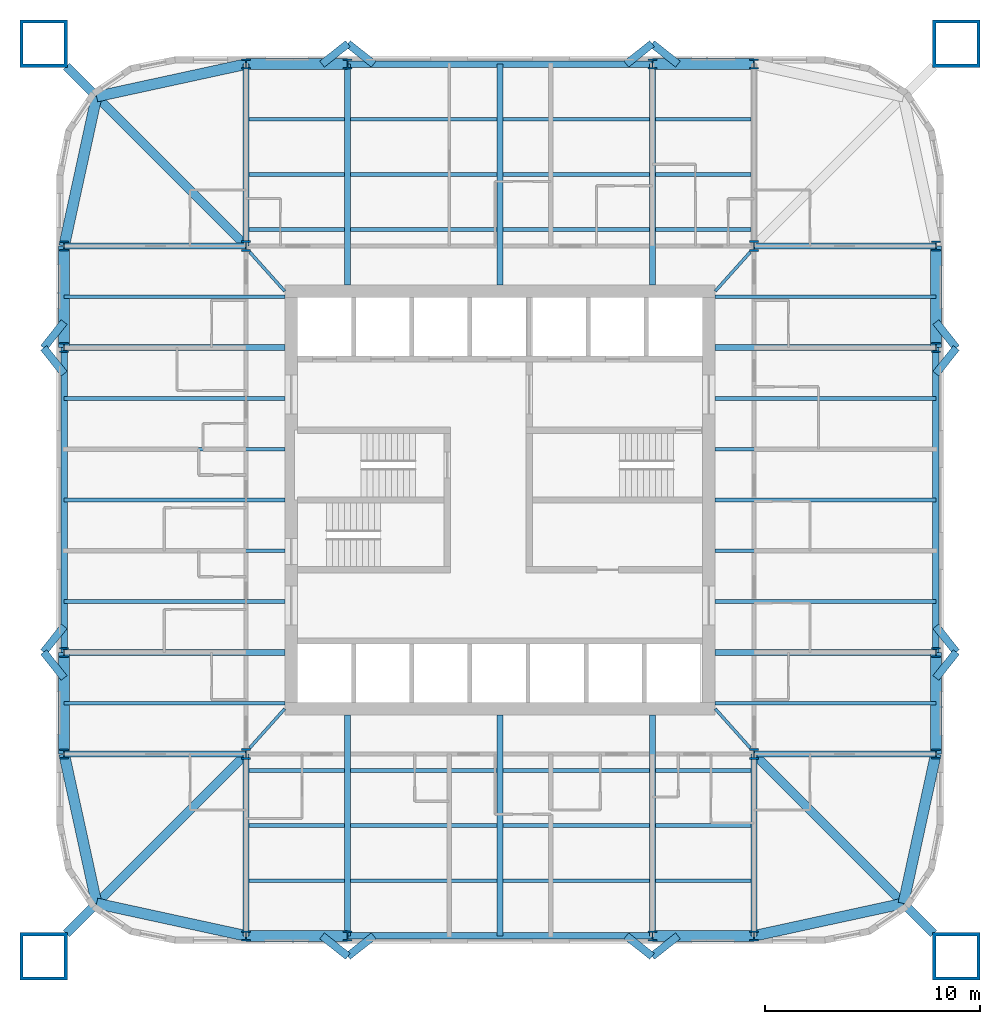
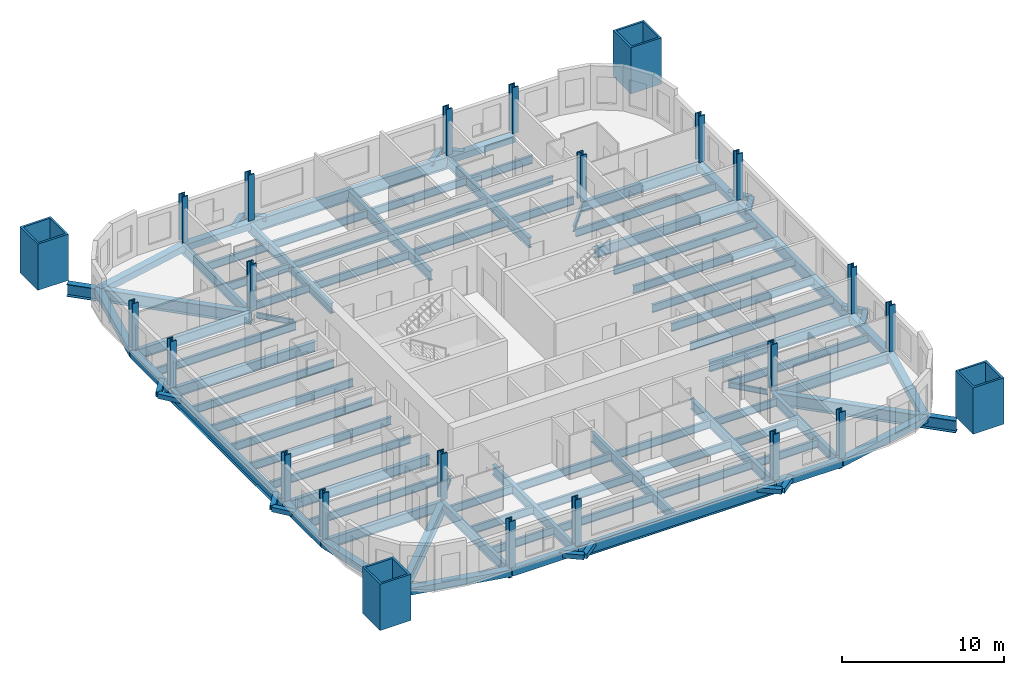
# One storey, part 1 of 9: 96 beams, 24 columns.
"""IFC4 building model written with IfcOpenShell, lengths in metres."""

from ifc_helpers import new_model, si_unit, direction, frame, origin, origin_2d, place, context, subcontext, project, spatial, hollow_rectangle, i_section, extrude, material, material_profile, profile_set, type_object, element, save


model = new_model("IFC4")

# Units and contexts
model_context = context("Model", 3, precision=1e-05, world=origin(), true_north=direction((0.0, 1.0)))
body_context = subcontext(model_context, "Body", "Model", "MODEL_VIEW")
ifc_project = project(units=[si_unit("LENGTHUNIT", "METRE"), si_unit("AREAUNIT", "SQUARE_METRE"), si_unit("VOLUMEUNIT", "CUBIC_METRE"), si_unit("PLANEANGLEUNIT", "RADIAN"), si_unit("MASSUNIT", "GRAM", prefix="KILO")], contexts=[model_context])

# Site, building, storey
site_placement = place(None, origin())
site = spatial("IfcSite", under=ifc_project, at=site_placement, CompositionType="ELEMENT")
building_placement = place(site_placement, origin())
building = spatial("IfcBuilding", under=site, at=building_placement, Name="Turquesa Mirador Hotel Tower", CompositionType="ELEMENT")
storey_placement = place(building_placement, frame((0.0, 0.0, 135.39990234375)))
storey = spatial("IfcBuildingStorey", under=building, at=storey_placement, Name="L36", CompositionType="ELEMENT", Elevation=135.39990234375)

# Columns
ifc_material_1 = material(Name="Steel ASTM A992 Grade 50", Category="steel")
ifc_material_profile_1 = material_profile(ifc_material_1, i_section(OverallWidth=0.421630859375, OverallDepth=0.46484375, WebThickness=0.044921875, FlangeThickness=0.072509765625, at=origin_2d()), Name="W14X398")
ifc_profile_set_1 = profile_set([ifc_material_profile_1], Name="Steel ASTM A992 Grade 50")
column_type_1 = type_object("IfcColumnType", Name="COLUMN W14X398", PredefinedType="COLUMN", material=ifc_profile_set_1)
for number, where, z_axis, x_axis, name in (
    (1, (34.75, 33.199951171875, 0.0), (0.0, 0.0, 1.0), (1.0, 0.0, 0.0), "COL-L36-P--20.25--11.80"),
    (2, (34.75, 37.919921875, 0.0), (0.0, 0.0, 1.0), (1.0, 0.0, 0.0), "COL-L36-P--20.25--7.08"),
    (3, (34.75, 52.080078125, 0.0), (0.0, 0.0, 1.0), (1.0, 0.0, 0.0), "COL-L36-P--20.25-+7.08"),
    (4, (34.75, 56.800048828125, 0.0), (0.0, 0.0, 1.0), (1.0, 0.0, 0.0), "COL-L36-P--20.25-+11.80"),
    (5, (43.199951171875, 24.75, 0.0), (0.0, 0.0, 1.0), (1.0, 0.0, 0.0), "COL-L36-P--11.80--20.25"),
    (6, (43.199951171875, 65.25, 0.0), (0.0, 0.0, 1.0), (1.0, 0.0, 0.0), "COL-L36-P--11.80-+20.25"),
    (7, (47.919921875, 24.75, 0.0), (0.0, 0.0, 1.0), (1.0, 0.0, 0.0), "COL-L36-P--7.08--20.25"),
    (8, (47.919921875, 65.25, 0.0), (0.0, 0.0, 1.0), (1.0, 0.0, 0.0), "COL-L36-P--7.08-+20.25"),
    (9, (62.080078125, 24.75, 0.0), (0.0, 0.0, 1.0), (1.0, 0.0, 0.0), "COL-L36-P-+7.08--20.25"),
    (10, (62.080078125, 65.25, 0.0), (0.0, 0.0, 1.0), (1.0, 0.0, 0.0), "COL-L36-P-+7.08-+20.25"),
    (11, (66.800048828125, 24.75, 0.0), (0.0, 0.0, 1.0), (1.0, 0.0, 0.0), "COL-L36-P-+11.80--20.25"),
    (12, (66.800048828125, 65.25, 0.0), (0.0, 0.0, 1.0), (1.0, 0.0, 0.0), "COL-L36-P-+11.80-+20.25"),
    (13, (75.25, 33.199951171875, 0.0), (0.0, 0.0, 1.0), (1.0, 0.0, 0.0), "COL-L36-P-+20.25--11.80"),
    (14, (75.25, 37.919921875, 0.0), (0.0, 0.0, 1.0), (1.0, 0.0, 0.0), "COL-L36-P-+20.25--7.08"),
    (15, (75.25, 52.080078125, 0.0), (0.0, 0.0, 1.0), (1.0, 0.0, 0.0), "COL-L36-P-+20.25-+7.08"),
    (16, (75.25, 56.800048828125, 0.0), (0.0, 0.0, 1.0), (1.0, 0.0, 0.0), "COL-L36-P-+20.25-+11.80"),
):
    element("IfcColumn", number, at=place(storey_placement, frame(where, z_axis=z_axis, x_axis=x_axis)), inside=storey, type_object=column_type_1, Name=name, PredefinedType="COLUMN", context=body_context, shape_type="SweptSolid", body=[
        extrude(i_section(OverallWidth=0.421630859375, OverallDepth=0.46484375, WebThickness=0.044921875, FlangeThickness=0.072509765625, at=origin_2d()), origin(), (0.0, 0.0, 1.0), 3.5),
    ])
ifc_material_2 = material(Name="Steel ASTM A992 Grade 50", Category="steel")
ifc_material_profile_2 = material_profile(ifc_material_2, i_section(OverallWidth=0.431884765625, OverallDepth=0.497802734375, WebThickness=0.0556640625, FlangeThickness=0.0888671875, at=origin_2d()), Name="W14X500")
ifc_profile_set_2 = profile_set([ifc_material_profile_2], Name="Steel ASTM A992 Grade 50")
column_type_2 = type_object("IfcColumnType", Name="COLUMN W14X500", PredefinedType="COLUMN", material=ifc_profile_set_2)
for number, where, z_axis, x_axis, name in (
    (17, (43.199951171875, 33.199951171875, 0.0), (0.0, 0.0, 1.0), (1.0, 0.0, 0.0), "COL-L36-K--11.80--11.80"),
    (18, (43.199951171875, 56.800048828125, 0.0), (0.0, 0.0, 1.0), (1.0, 0.0, 0.0), "COL-L36-K--11.80-+11.80"),
    (19, (66.800048828125, 33.199951171875, 0.0), (0.0, 0.0, 1.0), (1.0, 0.0, 0.0), "COL-L36-K-+11.80--11.80"),
    (20, (66.800048828125, 56.800048828125, 0.0), (0.0, 0.0, 1.0), (1.0, 0.0, 0.0), "COL-L36-K-+11.80-+11.80"),
):
    element("IfcColumn", number, at=place(storey_placement, frame(where, z_axis=z_axis, x_axis=x_axis)), inside=storey, type_object=column_type_2, Name=name, PredefinedType="COLUMN", context=body_context, shape_type="SweptSolid", body=[
        extrude(i_section(OverallWidth=0.431884765625, OverallDepth=0.497802734375, WebThickness=0.0556640625, FlangeThickness=0.0888671875, at=origin_2d()), origin(), (0.0, 0.0, 1.0), 3.5),
    ])
ifc_material_3 = material(Name="Steel ASTM A514 Grade Q", Category="steel")
ifc_material_profile_3 = material_profile(ifc_material_3, hollow_rectangle(XDim=2.199951171875, YDim=2.199951171875, WallThickness=0.14990234375, at=origin_2d()), Name="BOX2200X2200X150")
ifc_profile_set_3 = profile_set([ifc_material_profile_3], Name="Steel ASTM A514 Grade Q")
column_type_3 = type_object("IfcColumnType", Name="MEGA COLUMN BOX2200X2200X150", PredefinedType="COLUMN", material=ifc_profile_set_3)
for number, where, z_axis, x_axis, name in (
    (21, (76.199951171875, 66.199951171875, 0.0), (0.0, 0.0, 1.0), (1.0, 0.0, 0.0), "Mega column M1"),
    (22, (33.800048828125, 66.199951171875, 0.0), (0.0, 0.0, 1.0), (1.0, 0.0, 0.0), "Mega column M2"),
    (23, (33.800048828125, 23.800048828125, 0.0), (0.0, 0.0, 1.0), (1.0, 0.0, 0.0), "Mega column M3"),
    (24, (76.199951171875, 23.800048828125, 0.0), (0.0, 0.0, 1.0), (1.0, 0.0, 0.0), "Mega column M4"),
):
    element("IfcColumn", number, at=place(storey_placement, frame(where, z_axis=z_axis, x_axis=x_axis)), inside=storey, type_object=column_type_3, Name=name, PredefinedType="COLUMN", context=body_context, shape_type="SweptSolid", body=[
        extrude(hollow_rectangle(XDim=2.199951171875, YDim=2.199951171875, WallThickness=0.14990234375, at=origin_2d()), origin(), (0.0, 0.0, 1.0), 3.5),
    ])

# Beams
ifc_material_4 = material(Name="Steel ASTM A572 Grade 50", Category="steel")
ifc_material_profile_4 = material_profile(ifc_material_4, hollow_rectangle(XDim=0.5, YDim=0.5, WallThickness=0.01611328125, at=origin_2d()), Name="BOX500X500X16")
ifc_profile_set_4 = profile_set([ifc_material_profile_4], Name="Steel ASTM A572 Grade 50")
beam_type_1 = type_object("IfcBeamType", Name="BEAM BOX500X500X16", PredefinedType="BEAM", material=ifc_profile_set_4)
for number, where, z_axis, x_axis, name in (
    (25, (43.199951171875, 65.25, -0.419921875), (1.0, 0.0, 0.0), (0.0, 1.0, 0.0), "EB-L36-N-L"),
    (26, (62.080078125, 65.25, -0.419921875), (1.0, 0.0, 0.0), (0.0, 1.0, 0.0), "EB-L36-N-R"),
    (27, (43.199951171875, 24.75, -0.419921875), (1.0, 0.0, 0.0), (0.0, 1.0, 0.0), "EB-L36-S-L"),
    (28, (62.080078125, 24.75, -0.419921875), (1.0, 0.0, 0.0), (0.0, 1.0, 0.0), "EB-L36-S-R"),
    (29, (75.25, 33.199951171875, -0.419921875), (0.0, 1.0, 0.0), (-1.0, 0.0, 0.0), "EB-L36-E-L"),
    (30, (75.25, 52.080078125, -0.419921875), (0.0, 1.0, 0.0), (-1.0, 0.0, 0.0), "EB-L36-E-R"),
    (31, (34.75, 33.199951171875, -0.419921875), (0.0, 1.0, 0.0), (-1.0, 0.0, 0.0), "EB-L36-W-L"),
    (32, (34.75, 52.080078125, -0.419921875), (0.0, 1.0, 0.0), (-1.0, 0.0, 0.0), "EB-L36-W-R"),
):
    element("IfcBeam", number, at=place(storey_placement, frame(where, z_axis=z_axis, x_axis=x_axis)), inside=storey, type_object=beam_type_1, Name=name, PredefinedType="BEAM", context=body_context, shape_type="SweptSolid", body=[
        extrude(hollow_rectangle(XDim=0.5, YDim=0.5, WallThickness=0.01611328125, at=origin_2d()), origin(), (0.0, 0.0, 1.0), 4.719970703125),
    ])
for number, where, z_axis, x_axis, name in (
    (33, (34.75, 56.800048828125, -0.419921875), (0.212328336885, 0.977198381781, 0.0), (-0.977198381781, 0.212328336885, 0.0), "KE-L36-2-0"),
    (34, (36.25830078125, 63.74169921875, -0.419921875), (0.977198381781, 0.212328336885, 0.0), (-0.212328336885, 0.977198381781, 0.0), "KE-L36-2-1"),
    (35, (34.75, 33.199951171875, -0.419921875), (0.212328336885, -0.977198381781, 0.0), (0.977198381781, 0.212328336885, 0.0), "KE-L36-3-0"),
    (36, (36.25830078125, 26.25830078125, -0.419921875), (0.977198381781, -0.212328336885, 0.0), (0.212328336885, 0.977198381781, 0.0), "KE-L36-3-1"),
    (37, (75.25, 33.199951171875, -0.419921875), (-0.212328336885, -0.977198381781, 0.0), (0.977198381781, -0.212328336885, 0.0), "KE-L36-4-0"),
    (38, (73.74169921875, 26.25830078125, -0.419921875), (-0.977198381781, -0.212328336885, 0.0), (0.212328336885, -0.977198381781, 0.0), "KE-L36-4-1"),
):
    element("IfcBeam", number, at=place(storey_placement, frame(where, z_axis=z_axis, x_axis=x_axis)), inside=storey, type_object=beam_type_1, Name=name, PredefinedType="BEAM", context=body_context, shape_type="SweptSolid", body=[
        extrude(hollow_rectangle(XDim=0.5, YDim=0.5, WallThickness=0.01611328125, at=origin_2d()), origin(), (0.0, 0.0, 1.0), 7.103515625),
    ])
ifc_material_5 = material(Name="Steel ASTM A992 Grade 50", Category="steel")
ifc_material_profile_5 = material_profile(ifc_material_5, i_section(OverallWidth=0.140380859375, OverallDepth=0.40380859375, WebThickness=0.007080078125, FlangeThickness=0.01123046875, at=origin_2d()), Name="W16X31")
ifc_profile_set_5 = profile_set([ifc_material_profile_5], Name="Steel ASTM A992 Grade 50")
beam_type_2 = type_object("IfcBeamType", Name="BEAM W16X31", PredefinedType="BEAM", material=ifc_profile_set_5)
for number, where, z_axis, x_axis, name in (
    (39, (66.626953125, 56.518310546875, -0.371826171875), (-0.66679485947, -0.745241313525, 0.0), (0.745241313525, -0.66679485947, 0.0), "KT-L36-1"),
    (40, (43.373046875, 56.518310546875, -0.371826171875), (0.66679485947, -0.745241313525, 0.0), (0.745241313525, 0.66679485947, 0.0), "KT-L36-2"),
    (41, (43.373046875, 33.481689453125, -0.371826171875), (0.66679485947, 0.745241313525, 0.0), (-0.745241313525, 0.66679485947, 0.0), "KT-L36-3"),
    (42, (66.626953125, 33.481689453125, -0.371826171875), (-0.66679485947, 0.745241313525, 0.0), (-0.745241313525, -0.66679485947, 0.0), "KT-L36-4"),
):
    element("IfcBeam", number, at=place(storey_placement, frame(where, z_axis=z_axis, x_axis=x_axis)), inside=storey, type_object=beam_type_2, Name=name, PredefinedType="BEAM", context=body_context, shape_type="SweptSolid", body=[
        extrude(i_section(OverallWidth=0.140380859375, OverallDepth=0.40380859375, WebThickness=0.007080078125, FlangeThickness=0.01123046875, at=origin_2d()), origin(), (0.0, 0.0, 1.0), 2.43994140625),
    ])
ifc_material_6 = material(Name="Steel ASTM A992 Grade 50", Category="steel")
ifc_material_profile_6 = material_profile(ifc_material_6, i_section(OverallWidth=0.177978515625, OverallDepth=0.599365234375, WebThickness=0.010009765625, FlangeThickness=0.012939453125, at=origin_2d()), Name="W24X55")
ifc_profile_set_6 = profile_set([ifc_material_profile_6], Name="Steel ASTM A992 Grade 50")
beam_type_3 = type_object("IfcBeamType", Name="BEAM W24X55", PredefinedType="BEAM", material=ifc_profile_set_6)
beam_1_placement = place(storey_placement, frame((43.333251953125, 57.56201171875, -0.4697265625), z_axis=(1.0, 0.0, 0.0), x_axis=(0.0, 1.0, 0.0)))
element("IfcBeam", 43, at=beam_1_placement, inside=storey, type_object=beam_type_3, Name="IB-L36-N-1-0", PredefinedType="BEAM", context=body_context, shape_type="SweptSolid", body=[
    extrude(i_section(OverallWidth=0.177978515625, OverallDepth=0.599365234375, WebThickness=0.010009765625, FlangeThickness=0.012939453125, at=origin_2d()), origin(), (0.0, 0.0, 1.0), 4.453369140625),
])
for number, where, z_axis, x_axis, name in (
    (44, (48.053466796875, 57.56201171875, -0.4697265625), (1.0, 0.0, 0.0), (0.0, 1.0, 0.0), "IB-L36-N-1-1"),
    (45, (55.13330078125, 57.56201171875, -0.4697265625), (1.0, 0.0, 0.0), (0.0, 1.0, 0.0), "IB-L36-N-1-2"),
):
    element("IfcBeam", number, at=place(storey_placement, frame(where, z_axis=z_axis, x_axis=x_axis)), inside=storey, type_object=beam_type_3, Name=name, PredefinedType="BEAM", context=body_context, shape_type="SweptSolid", body=[
        extrude(i_section(OverallWidth=0.177978515625, OverallDepth=0.599365234375, WebThickness=0.010009765625, FlangeThickness=0.012939453125, at=origin_2d()), origin(), (0.0, 0.0, 1.0), 6.813232421875),
    ])
for number, where, z_axis, x_axis, name in (
    (46, (62.21337890625, 57.56201171875, -0.4697265625), (1.0, 0.0, 0.0), (0.0, 1.0, 0.0), "IB-L36-N-1-3"),
    (47, (43.333251953125, 60.125, -0.4697265625), (1.0, 0.0, 0.0), (0.0, 1.0, 0.0), "IB-L36-N-2-0"),
):
    element("IfcBeam", number, at=place(storey_placement, frame(where, z_axis=z_axis, x_axis=x_axis)), inside=storey, type_object=beam_type_3, Name=name, PredefinedType="BEAM", context=body_context, shape_type="SweptSolid", body=[
        extrude(i_section(OverallWidth=0.177978515625, OverallDepth=0.599365234375, WebThickness=0.010009765625, FlangeThickness=0.012939453125, at=origin_2d()), origin(), (0.0, 0.0, 1.0), 4.453369140625),
    ])
for number, where, z_axis, x_axis, name in (
    (48, (48.053466796875, 60.125, -0.4697265625), (1.0, 0.0, 0.0), (0.0, 1.0, 0.0), "IB-L36-N-2-1"),
    (49, (55.13330078125, 60.125, -0.4697265625), (1.0, 0.0, 0.0), (0.0, 1.0, 0.0), "IB-L36-N-2-2"),
):
    element("IfcBeam", number, at=place(storey_placement, frame(where, z_axis=z_axis, x_axis=x_axis)), inside=storey, type_object=beam_type_3, Name=name, PredefinedType="BEAM", context=body_context, shape_type="SweptSolid", body=[
        extrude(i_section(OverallWidth=0.177978515625, OverallDepth=0.599365234375, WebThickness=0.010009765625, FlangeThickness=0.012939453125, at=origin_2d()), origin(), (0.0, 0.0, 1.0), 6.813232421875),
    ])
for number, where, z_axis, x_axis, name in (
    (50, (62.21337890625, 60.125, -0.4697265625), (1.0, 0.0, 0.0), (0.0, 1.0, 0.0), "IB-L36-N-2-3"),
    (51, (43.333251953125, 62.68798828125, -0.4697265625), (1.0, 0.0, 0.0), (0.0, 1.0, 0.0), "IB-L36-N-3-0"),
):
    element("IfcBeam", number, at=place(storey_placement, frame(where, z_axis=z_axis, x_axis=x_axis)), inside=storey, type_object=beam_type_3, Name=name, PredefinedType="BEAM", context=body_context, shape_type="SweptSolid", body=[
        extrude(i_section(OverallWidth=0.177978515625, OverallDepth=0.599365234375, WebThickness=0.010009765625, FlangeThickness=0.012939453125, at=origin_2d()), origin(), (0.0, 0.0, 1.0), 4.453369140625),
    ])
for number, where, z_axis, x_axis, name in (
    (52, (48.053466796875, 62.68798828125, -0.4697265625), (1.0, 0.0, 0.0), (0.0, 1.0, 0.0), "IB-L36-N-3-1"),
    (53, (55.13330078125, 62.68798828125, -0.4697265625), (1.0, 0.0, 0.0), (0.0, 1.0, 0.0), "IB-L36-N-3-2"),
):
    element("IfcBeam", number, at=place(storey_placement, frame(where, z_axis=z_axis, x_axis=x_axis)), inside=storey, type_object=beam_type_3, Name=name, PredefinedType="BEAM", context=body_context, shape_type="SweptSolid", body=[
        extrude(i_section(OverallWidth=0.177978515625, OverallDepth=0.599365234375, WebThickness=0.010009765625, FlangeThickness=0.012939453125, at=origin_2d()), origin(), (0.0, 0.0, 1.0), 6.813232421875),
    ])
for number, where, z_axis, x_axis, name in (
    (54, (62.21337890625, 62.68798828125, -0.4697265625), (1.0, 0.0, 0.0), (0.0, 1.0, 0.0), "IB-L36-N-3-3"),
    (55, (43.333251953125, 32.43798828125, -0.4697265625), (1.0, 0.0, 0.0), (0.0, 1.0, 0.0), "IB-L36-S-1-0"),
):
    element("IfcBeam", number, at=place(storey_placement, frame(where, z_axis=z_axis, x_axis=x_axis)), inside=storey, type_object=beam_type_3, Name=name, PredefinedType="BEAM", context=body_context, shape_type="SweptSolid", body=[
        extrude(i_section(OverallWidth=0.177978515625, OverallDepth=0.599365234375, WebThickness=0.010009765625, FlangeThickness=0.012939453125, at=origin_2d()), origin(), (0.0, 0.0, 1.0), 4.453369140625),
    ])
for number, where, z_axis, x_axis, name in (
    (56, (48.053466796875, 32.43798828125, -0.4697265625), (1.0, 0.0, 0.0), (0.0, 1.0, 0.0), "IB-L36-S-1-1"),
    (57, (55.13330078125, 32.43798828125, -0.4697265625), (1.0, 0.0, 0.0), (0.0, 1.0, 0.0), "IB-L36-S-1-2"),
):
    element("IfcBeam", number, at=place(storey_placement, frame(where, z_axis=z_axis, x_axis=x_axis)), inside=storey, type_object=beam_type_3, Name=name, PredefinedType="BEAM", context=body_context, shape_type="SweptSolid", body=[
        extrude(i_section(OverallWidth=0.177978515625, OverallDepth=0.599365234375, WebThickness=0.010009765625, FlangeThickness=0.012939453125, at=origin_2d()), origin(), (0.0, 0.0, 1.0), 6.813232421875),
    ])
for number, where, z_axis, x_axis, name in (
    (58, (62.21337890625, 32.43798828125, -0.4697265625), (1.0, 0.0, 0.0), (0.0, 1.0, 0.0), "IB-L36-S-1-3"),
    (59, (43.333251953125, 29.875, -0.4697265625), (1.0, 0.0, 0.0), (0.0, 1.0, 0.0), "IB-L36-S-2-0"),
):
    element("IfcBeam", number, at=place(storey_placement, frame(where, z_axis=z_axis, x_axis=x_axis)), inside=storey, type_object=beam_type_3, Name=name, PredefinedType="BEAM", context=body_context, shape_type="SweptSolid", body=[
        extrude(i_section(OverallWidth=0.177978515625, OverallDepth=0.599365234375, WebThickness=0.010009765625, FlangeThickness=0.012939453125, at=origin_2d()), origin(), (0.0, 0.0, 1.0), 4.453369140625),
    ])
for number, where, z_axis, x_axis, name in (
    (60, (48.053466796875, 29.875, -0.4697265625), (1.0, 0.0, 0.0), (0.0, 1.0, 0.0), "IB-L36-S-2-1"),
    (61, (55.13330078125, 29.875, -0.4697265625), (1.0, 0.0, 0.0), (0.0, 1.0, 0.0), "IB-L36-S-2-2"),
):
    element("IfcBeam", number, at=place(storey_placement, frame(where, z_axis=z_axis, x_axis=x_axis)), inside=storey, type_object=beam_type_3, Name=name, PredefinedType="BEAM", context=body_context, shape_type="SweptSolid", body=[
        extrude(i_section(OverallWidth=0.177978515625, OverallDepth=0.599365234375, WebThickness=0.010009765625, FlangeThickness=0.012939453125, at=origin_2d()), origin(), (0.0, 0.0, 1.0), 6.813232421875),
    ])
for number, where, z_axis, x_axis, name in (
    (62, (62.21337890625, 29.875, -0.4697265625), (1.0, 0.0, 0.0), (0.0, 1.0, 0.0), "IB-L36-S-2-3"),
    (63, (43.333251953125, 27.31201171875, -0.4697265625), (1.0, 0.0, 0.0), (0.0, 1.0, 0.0), "IB-L36-S-3-0"),
):
    element("IfcBeam", number, at=place(storey_placement, frame(where, z_axis=z_axis, x_axis=x_axis)), inside=storey, type_object=beam_type_3, Name=name, PredefinedType="BEAM", context=body_context, shape_type="SweptSolid", body=[
        extrude(i_section(OverallWidth=0.177978515625, OverallDepth=0.599365234375, WebThickness=0.010009765625, FlangeThickness=0.012939453125, at=origin_2d()), origin(), (0.0, 0.0, 1.0), 4.453369140625),
    ])
for number, where, z_axis, x_axis, name in (
    (64, (48.053466796875, 27.31201171875, -0.4697265625), (1.0, 0.0, 0.0), (0.0, 1.0, 0.0), "IB-L36-S-3-1"),
    (65, (55.13330078125, 27.31201171875, -0.4697265625), (1.0, 0.0, 0.0), (0.0, 1.0, 0.0), "IB-L36-S-3-2"),
):
    element("IfcBeam", number, at=place(storey_placement, frame(where, z_axis=z_axis, x_axis=x_axis)), inside=storey, type_object=beam_type_3, Name=name, PredefinedType="BEAM", context=body_context, shape_type="SweptSolid", body=[
        extrude(i_section(OverallWidth=0.177978515625, OverallDepth=0.599365234375, WebThickness=0.010009765625, FlangeThickness=0.012939453125, at=origin_2d()), origin(), (0.0, 0.0, 1.0), 6.813232421875),
    ])
beam_2_placement = place(storey_placement, frame((62.21337890625, 27.31201171875, -0.4697265625), z_axis=(1.0, 0.0, 0.0), x_axis=(0.0, 1.0, 0.0)))
element("IfcBeam", 66, at=beam_2_placement, inside=storey, type_object=beam_type_3, Name="IB-L36-S-3-3", PredefinedType="BEAM", context=body_context, shape_type="SweptSolid", body=[
    extrude(i_section(OverallWidth=0.177978515625, OverallDepth=0.599365234375, WebThickness=0.010009765625, FlangeThickness=0.012939453125, at=origin_2d()), origin(), (0.0, 0.0, 1.0), 4.453369140625),
])
for number, where, z_axis, x_axis, name in (
    (67, (75.25, 35.56005859375, -0.4697265625), (-1.0, 0.0, 0.0), (0.0, -1.0, 0.0), "BM-L36-E--9.44"),
    (68, (75.25, 40.280029296875, -0.4697265625), (-1.0, 0.0, 0.0), (0.0, -1.0, 0.0), "BM-L36-E--4.72"),
    (69, (75.25, 42.639892578125, -0.4697265625), (-1.0, 0.0, 0.0), (0.0, -1.0, 0.0), "BM-L36-E--2.36"),
    (70, (75.25, 45.0, -0.4697265625), (-1.0, 0.0, 0.0), (0.0, -1.0, 0.0), "BM-L36-E-+0.00"),
    (71, (75.25, 47.360107421875, -0.4697265625), (-1.0, 0.0, 0.0), (0.0, -1.0, 0.0), "BM-L36-E-+2.36"),
    (72, (75.25, 49.719970703125, -0.4697265625), (-1.0, 0.0, 0.0), (0.0, -1.0, 0.0), "BM-L36-E-+4.72"),
    (73, (75.25, 54.43994140625, -0.4697265625), (-1.0, 0.0, 0.0), (0.0, -1.0, 0.0), "BM-L36-E-+9.44"),
    (74, (34.75, 35.56005859375, -0.4697265625), (1.0, 0.0, 0.0), (0.0, 1.0, 0.0), "BM-L36-W--9.44"),
    (75, (34.75, 40.280029296875, -0.4697265625), (1.0, 0.0, 0.0), (0.0, 1.0, 0.0), "BM-L36-W--4.72"),
    (76, (34.75, 42.639892578125, -0.4697265625), (1.0, 0.0, 0.0), (0.0, 1.0, 0.0), "BM-L36-W--2.36"),
    (77, (34.75, 45.0, -0.4697265625), (1.0, 0.0, 0.0), (0.0, 1.0, 0.0), "BM-L36-W-+0.00"),
    (78, (34.75, 47.360107421875, -0.4697265625), (1.0, 0.0, 0.0), (0.0, 1.0, 0.0), "BM-L36-W-+2.36"),
    (79, (34.75, 49.719970703125, -0.4697265625), (1.0, 0.0, 0.0), (0.0, 1.0, 0.0), "BM-L36-W-+4.72"),
    (80, (34.75, 54.43994140625, -0.4697265625), (1.0, 0.0, 0.0), (0.0, 1.0, 0.0), "BM-L36-W-+9.44"),
):
    element("IfcBeam", number, at=place(storey_placement, frame(where, z_axis=z_axis, x_axis=x_axis)), inside=storey, type_object=beam_type_3, Name=name, PredefinedType="BEAM", context=body_context, shape_type="SweptSolid", body=[
        extrude(i_section(OverallWidth=0.177978515625, OverallDepth=0.599365234375, WebThickness=0.010009765625, FlangeThickness=0.012939453125, at=origin_2d()), origin(), (0.0, 0.0, 1.0), 10.25),
    ])
ifc_material_7 = material(Name="Steel ASTM A992 Grade 50", Category="steel")
ifc_material_profile_7 = material_profile(ifc_material_7, i_section(OverallWidth=0.2666015625, OverallDepth=0.7568359375, WebThickness=0.013916015625, FlangeThickness=0.019287109375, at=origin_2d()), Name="W30X108")
ifc_profile_set_7 = profile_set([ifc_material_profile_7], Name="Steel ASTM A992 Grade 50")
beam_type_4 = type_object("IfcBeamType", Name="BEAM W30X108", PredefinedType="BEAM", material=ifc_profile_set_7)
for number, where, z_axis, x_axis, name in (
    (81, (47.919921875, 65.25, -0.54833984375), (0.0, -1.0, 0.0), (1.0, 0.0, 0.0), "GD-L36-N--7.08"),
    (82, (62.080078125, 65.25, -0.54833984375), (0.0, -1.0, 0.0), (1.0, 0.0, 0.0), "GD-L36-N-+7.08"),
    (83, (55.0, 65.25, -0.54833984375), (0.0, -1.0, 0.0), (1.0, 0.0, 0.0), "GD-L36-N-+0.00"),
):
    element("IfcBeam", number, at=place(storey_placement, frame(where, z_axis=z_axis, x_axis=x_axis)), inside=storey, type_object=beam_type_4, Name=name, PredefinedType="BEAM", context=body_context, shape_type="SweptSolid", body=[
        extrude(i_section(OverallWidth=0.2666015625, OverallDepth=0.7568359375, WebThickness=0.013916015625, FlangeThickness=0.019287109375, at=origin_2d()), origin(), (0.0, 0.0, 1.0), 10.25),
    ])
beam_3_placement = place(storey_placement, frame((43.199951171875, 65.25, -0.54833984375), z_axis=(0.0, -1.0, 0.0), x_axis=(1.0, 0.0, 0.0)))
element("IfcBeam", 84, at=beam_3_placement, inside=storey, type_object=beam_type_4, Name="GK-L36-N--11.80", PredefinedType="BEAM", context=body_context, shape_type="SweptSolid", body=[
    extrude(i_section(OverallWidth=0.2666015625, OverallDepth=0.7568359375, WebThickness=0.013916015625, FlangeThickness=0.019287109375, at=origin_2d()), origin(), (0.0, 0.0, 1.0), 8.449951171875),
])
for number, where, z_axis, x_axis, name in (
    (85, (47.919921875, 24.75, -0.54833984375), (0.0, 1.0, 0.0), (-1.0, 0.0, 0.0), "GD-L36-S--7.08"),
    (86, (62.080078125, 24.75, -0.54833984375), (0.0, 1.0, 0.0), (-1.0, 0.0, 0.0), "GD-L36-S-+7.08"),
    (87, (55.0, 24.75, -0.54833984375), (0.0, 1.0, 0.0), (-1.0, 0.0, 0.0), "GD-L36-S-+0.00"),
):
    element("IfcBeam", number, at=place(storey_placement, frame(where, z_axis=z_axis, x_axis=x_axis)), inside=storey, type_object=beam_type_4, Name=name, PredefinedType="BEAM", context=body_context, shape_type="SweptSolid", body=[
        extrude(i_section(OverallWidth=0.2666015625, OverallDepth=0.7568359375, WebThickness=0.013916015625, FlangeThickness=0.019287109375, at=origin_2d()), origin(), (0.0, 0.0, 1.0), 10.25),
    ])
for number, where, z_axis, x_axis, name in (
    (88, (43.199951171875, 24.75, -0.54833984375), (0.0, 1.0, 0.0), (-1.0, 0.0, 0.0), "GK-L36-S--11.80"),
    (89, (66.800048828125, 24.75, -0.54833984375), (0.0, 1.0, 0.0), (-1.0, 0.0, 0.0), "GK-L36-S-+11.80"),
):
    element("IfcBeam", number, at=place(storey_placement, frame(where, z_axis=z_axis, x_axis=x_axis)), inside=storey, type_object=beam_type_4, Name=name, PredefinedType="BEAM", context=body_context, shape_type="SweptSolid", body=[
        extrude(i_section(OverallWidth=0.2666015625, OverallDepth=0.7568359375, WebThickness=0.013916015625, FlangeThickness=0.019287109375, at=origin_2d()), origin(), (0.0, 0.0, 1.0), 8.449951171875),
    ])
for number, where, z_axis, x_axis, name in (
    (90, (75.25, 37.919921875, -0.54833984375), (-1.0, 0.0, 0.0), (0.0, -1.0, 0.0), "GD-L36-E--7.08"),
    (91, (75.25, 52.080078125, -0.54833984375), (-1.0, 0.0, 0.0), (0.0, -1.0, 0.0), "GD-L36-E-+7.08"),
):
    element("IfcBeam", number, at=place(storey_placement, frame(where, z_axis=z_axis, x_axis=x_axis)), inside=storey, type_object=beam_type_4, Name=name, PredefinedType="BEAM", context=body_context, shape_type="SweptSolid", body=[
        extrude(i_section(OverallWidth=0.2666015625, OverallDepth=0.7568359375, WebThickness=0.013916015625, FlangeThickness=0.019287109375, at=origin_2d()), origin(), (0.0, 0.0, 1.0), 10.25),
    ])
for number, where, z_axis, x_axis, name in (
    (92, (75.25, 33.199951171875, -0.54833984375), (-1.0, 0.0, 0.0), (0.0, -1.0, 0.0), "GK-L36-E--11.80"),
    (93, (75.25, 56.800048828125, -0.54833984375), (-1.0, 0.0, 0.0), (0.0, -1.0, 0.0), "GK-L36-E-+11.80"),
):
    element("IfcBeam", number, at=place(storey_placement, frame(where, z_axis=z_axis, x_axis=x_axis)), inside=storey, type_object=beam_type_4, Name=name, PredefinedType="BEAM", context=body_context, shape_type="SweptSolid", body=[
        extrude(i_section(OverallWidth=0.2666015625, OverallDepth=0.7568359375, WebThickness=0.013916015625, FlangeThickness=0.019287109375, at=origin_2d()), origin(), (0.0, 0.0, 1.0), 8.449951171875),
    ])
for number, where, z_axis, x_axis, name in (
    (94, (34.75, 37.919921875, -0.54833984375), (1.0, 0.0, 0.0), (0.0, 1.0, 0.0), "GD-L36-W--7.08"),
    (95, (34.75, 52.080078125, -0.54833984375), (1.0, 0.0, 0.0), (0.0, 1.0, 0.0), "GD-L36-W-+7.08"),
):
    element("IfcBeam", number, at=place(storey_placement, frame(where, z_axis=z_axis, x_axis=x_axis)), inside=storey, type_object=beam_type_4, Name=name, PredefinedType="BEAM", context=body_context, shape_type="SweptSolid", body=[
        extrude(i_section(OverallWidth=0.2666015625, OverallDepth=0.7568359375, WebThickness=0.013916015625, FlangeThickness=0.019287109375, at=origin_2d()), origin(), (0.0, 0.0, 1.0), 10.25),
    ])
for number, where, z_axis, x_axis, name in (
    (96, (34.75, 33.199951171875, -0.54833984375), (1.0, 0.0, 0.0), (0.0, 1.0, 0.0), "GK-L36-W--11.80"),
    (97, (34.75, 56.800048828125, -0.54833984375), (1.0, 0.0, 0.0), (0.0, 1.0, 0.0), "GK-L36-W-+11.80"),
):
    element("IfcBeam", number, at=place(storey_placement, frame(where, z_axis=z_axis, x_axis=x_axis)), inside=storey, type_object=beam_type_4, Name=name, PredefinedType="BEAM", context=body_context, shape_type="SweptSolid", body=[
        extrude(i_section(OverallWidth=0.2666015625, OverallDepth=0.7568359375, WebThickness=0.013916015625, FlangeThickness=0.019287109375, at=origin_2d()), origin(), (0.0, 0.0, 1.0), 8.449951171875),
    ])
ifc_material_8 = material(Name="Steel ASTM A992 Grade 50", Category="steel")
ifc_material_profile_8 = material_profile(ifc_material_8, i_section(OverallWidth=0.3046875, OverallDepth=0.911865234375, WebThickness=0.015869140625, FlangeThickness=0.02392578125, at=origin_2d()), Name="W36X150")
ifc_profile_set_8 = profile_set([ifc_material_profile_8], Name="Steel ASTM A992 Grade 50")
beam_type_5 = type_object("IfcBeamType", Name="BEAM W36X150", PredefinedType="BEAM", material=ifc_profile_set_8)
for number, where, z_axis, x_axis, name in (
    (98, (47.919921875, 65.25, -0.625732421875), (1.0, 0.0, 0.0), (0.0, 1.0, 0.0), "EB-L36-N-C"),
    (99, (47.919921875, 24.75, -0.625732421875), (1.0, 0.0, 0.0), (0.0, 1.0, 0.0), "EB-L36-S-C"),
    (100, (75.25, 37.919921875, -0.625732421875), (0.0, 1.0, 0.0), (-1.0, 0.0, 0.0), "EB-L36-E-C"),
    (101, (34.75, 37.919921875, -0.625732421875), (0.0, 1.0, 0.0), (-1.0, 0.0, 0.0), "EB-L36-W-C"),
):
    element("IfcBeam", number, at=place(storey_placement, frame(where, z_axis=z_axis, x_axis=x_axis)), inside=storey, type_object=beam_type_5, Name=name, PredefinedType="BEAM", context=body_context, shape_type="SweptSolid", body=[
        extrude(i_section(OverallWidth=0.3046875, OverallDepth=0.911865234375, WebThickness=0.015869140625, FlangeThickness=0.02392578125, at=origin_2d()), origin(), (0.0, 0.0, 1.0), 14.16015625),
    ])
ifc_material_9 = material(Name="Steel ASTM A992 Grade 50", Category="steel")
ifc_material_profile_9 = material_profile(ifc_material_9, i_section(OverallWidth=0.419189453125, OverallDepth=0.927001953125, WebThickness=0.019287109375, FlangeThickness=0.031982421875, at=origin_2d()), Name="W36X231")
ifc_profile_set_9 = profile_set([ifc_material_profile_9], Name="Steel ASTM A992 Grade 50")
beam_type_6 = type_object("IfcBeamType", Name="BEAM W36X231", PredefinedType="BEAM", material=ifc_profile_set_9)
for number, where, z_axis, x_axis, name in (
    (102, (43.199951171875, 56.800048828125, -0.633544921875), (-0.707106781187, 0.707106781187, 0.0), (-0.707106781187, -0.707106781187, 0.0), "KD-L36-2"),
    (103, (43.199951171875, 33.199951171875, -0.633544921875), (-0.707106781187, -0.707106781187, 0.0), (0.707106781187, -0.707106781187, 0.0), "KD-L36-3"),
    (104, (66.800048828125, 33.199951171875, -0.633544921875), (0.707106781187, -0.707106781187, 0.0), (0.707106781187, 0.707106781187, 0.0), "KD-L36-4"),
):
    element("IfcBeam", number, at=place(storey_placement, frame(where, z_axis=z_axis, x_axis=x_axis)), inside=storey, type_object=beam_type_6, Name=name, PredefinedType="BEAM", context=body_context, shape_type="SweptSolid", body=[
        extrude(i_section(OverallWidth=0.419189453125, OverallDepth=0.927001953125, WebThickness=0.019287109375, FlangeThickness=0.031982421875, at=origin_2d()), origin(), (0.0, 0.0, 1.0), 11.80859375),
    ])
ifc_material_10 = material(Name="Steel ASTM A500 Grade C", Category="steel")
ifc_material_profile_10 = material_profile(ifc_material_10, hollow_rectangle(XDim=0.355712890625, YDim=0.355712890625, WallThickness=0.0146484375, at=origin_2d()), Name="HSS14X14X5/8")
ifc_profile_set_10 = profile_set([ifc_material_profile_10], Name="Steel ASTM A500 Grade C")
beam_type_7 = type_object("IfcBeamType", Name="BRACE STRUT HSS14X14X5/8", PredefinedType="BEAM", material=ifc_profile_set_10)
for number, where, z_axis, x_axis, name in (
    (105, (62.066650390625, 66.199951171875, -0.34765625), (-0.784049059149, -0.620698858423, 0.0), (0.620698858423, -0.784049059149, 0.0), "Brace strut"),
    (106, (62.066650390625, 66.199951171875, -0.34765625), (0.784049059149, -0.620698858423, 0.0), (0.620698858423, 0.784049059149, 0.0), "Brace strut"),
    (107, (47.933349609375, 66.199951171875, -0.34765625), (-0.784049059149, -0.620698858423, 0.0), (0.620698858423, -0.784049059149, 0.0), "Brace strut"),
    (108, (47.933349609375, 66.199951171875, -0.34765625), (0.784049059149, -0.620698858423, 0.0), (0.620698858423, 0.784049059149, 0.0), "Brace strut"),
    (109, (62.066650390625, 23.800048828125, -0.34765625), (-0.784049059149, 0.620698858423, 0.0), (-0.620698858423, -0.784049059149, 0.0), "Brace strut"),
    (110, (62.066650390625, 23.800048828125, -0.34765625), (0.784049059149, 0.620698858423, 0.0), (-0.620698858423, 0.784049059149, 0.0), "Brace strut"),
    (111, (47.933349609375, 23.800048828125, -0.34765625), (-0.784049059149, 0.620698858423, 0.0), (-0.620698858423, -0.784049059149, 0.0), "Brace strut"),
    (112, (47.933349609375, 23.800048828125, -0.34765625), (0.784049059149, 0.620698858423, 0.0), (-0.620698858423, 0.784049059149, 0.0), "Brace strut"),
    (113, (76.199951171875, 52.066650390625, -0.34765625), (-0.620698858423, -0.784049059149, 0.0), (0.784049059149, -0.620698858423, 0.0), "Brace strut"),
    (114, (76.199951171875, 52.066650390625, -0.34765625), (-0.620698858423, 0.784049059149, 0.0), (-0.784049059149, -0.620698858423, 0.0), "Brace strut"),
    (115, (76.199951171875, 37.933349609375, -0.34765625), (-0.620698858423, -0.784049059149, 0.0), (0.784049059149, -0.620698858423, 0.0), "Brace strut"),
    (116, (76.199951171875, 37.933349609375, -0.34765625), (-0.620698858423, 0.784049059149, 0.0), (-0.784049059149, -0.620698858423, 0.0), "Brace strut"),
    (117, (33.800048828125, 52.066650390625, -0.34765625), (0.620698858423, -0.784049059149, 0.0), (0.784049059149, 0.620698858423, 0.0), "Brace strut"),
    (118, (33.800048828125, 52.066650390625, -0.34765625), (0.620698858423, 0.784049059149, 0.0), (-0.784049059149, 0.620698858423, 0.0), "Brace strut"),
    (119, (33.800048828125, 37.933349609375, -0.34765625), (0.620698858423, -0.784049059149, 0.0), (0.784049059149, 0.620698858423, 0.0), "Brace strut"),
    (120, (33.800048828125, 37.933349609375, -0.34765625), (0.620698858423, 0.784049059149, 0.0), (-0.784049059149, 0.620698858423, 0.0), "Brace strut"),
):
    element("IfcBeam", number, at=place(storey_placement, frame(where, z_axis=z_axis, x_axis=x_axis)), inside=storey, type_object=beam_type_7, Name=name, PredefinedType="BEAM", context=body_context, shape_type="SweptSolid", body=[
        extrude(hollow_rectangle(XDim=0.355712890625, YDim=0.355712890625, WallThickness=0.0146484375, at=origin_2d()), origin(), (0.0, 0.0, 1.0), 1.530517578125),
    ])

save(model, "model.ifc")
